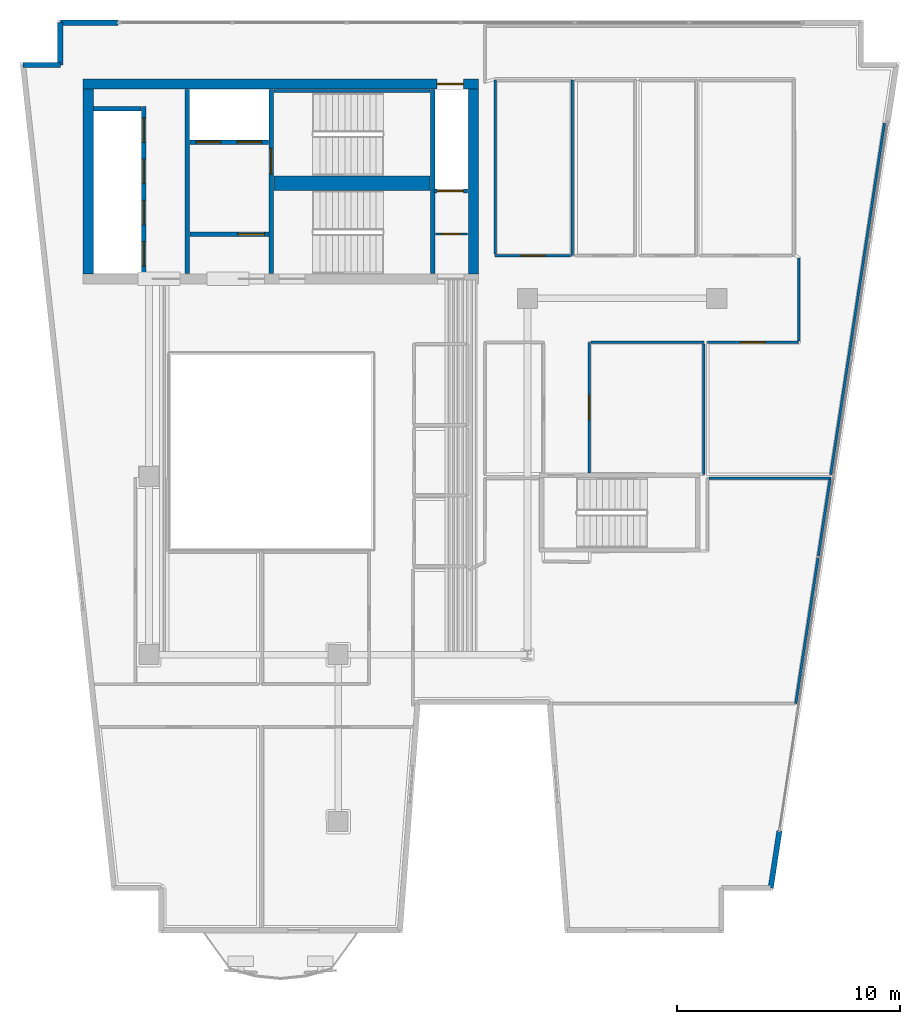
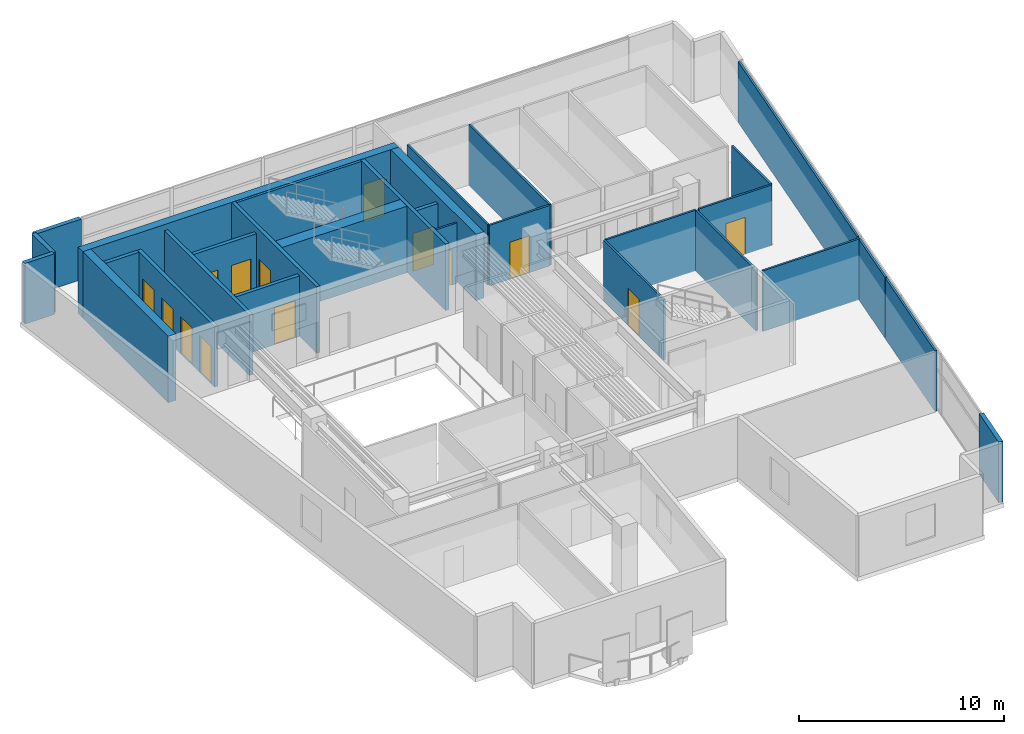
# One storey, part 5 of 8: 30 walls, 14 doors, 14 openings.
"""IFC4 building model written with IfcOpenShell, lengths in metres."""

from ifc_helpers import new_model, si_unit, direction, frame, frame_2d, origin, place, context, subcontext, project, spatial, rectangle, extrude, material, layer, layer_set, type_object, element, fill, save


model = new_model("IFC4")

# Units and contexts
model_context = context("Model", 3, precision=1e-05, world=origin(), true_north=direction((0.0, 1.0)))
body_context = subcontext(model_context, "Body", "Model", "MODEL_VIEW")
ifc_project = project(units=[si_unit("LENGTHUNIT", "METRE"), si_unit("AREAUNIT", "SQUARE_METRE"), si_unit("VOLUMEUNIT", "CUBIC_METRE"), si_unit("PLANEANGLEUNIT", "RADIAN"), si_unit("MASSUNIT", "GRAM", prefix="KILO")], contexts=[model_context])

# Site, building, storey
site_placement = place(None, origin())
site = spatial("IfcSite", under=ifc_project, at=site_placement, CompositionType="ELEMENT")
building_placement = place(site_placement, origin())
building = spatial("IfcBuilding", under=site, at=building_placement, Name="Caeloran Harvest Quay", CompositionType="ELEMENT")
storey_placement = place(building_placement, frame((0.0, 0.0, 246.949951171875)))
storey = spatial("IfcBuildingStorey", under=building, at=storey_placement, Name="L59", CompositionType="ELEMENT", Elevation=246.949951171875)

# Walls
ifc_material_1 = material(Name="Precast concrete C50/60", Category="concrete")
ifc_layer_1 = layer(ifc_material_1, 0.239990234375, Name="Precast concrete C50/60")
ifc_layer_set_1 = layer_set([ifc_layer_1], Name="Precast concrete C50/60")
wall_type_1 = type_object("IfcWallType", Name="ENV-WALL-EW-240", PredefinedType="STANDARD", material=ifc_layer_set_1)
wall_1_placement = place(storey_placement, frame((2.84423828125, 41.47998046875, 0.0), z_axis=(0.0, 0.0, 1.0), x_axis=(1.0, 0.0, 0.0)))
element("IfcWall", 1, at=wall_1_placement, inside=storey, type_object=wall_type_1, Name="L59 Exterior Precast Concrete Facade Wall 4", PredefinedType="STANDARD", context=body_context, shape_type="SweptSolid", body=[
    extrude(rectangle(XDim=1.67578125, YDim=0.239990234375, at=frame_2d((0.837890625, 0.0))), origin(), (0.0, 0.0, 1.0), 3.60009765625),
])
wall_2_placement = place(storey_placement, frame((4.52001953125, 41.47998046875, 0.0), z_axis=(0.0, 0.0, 1.0), x_axis=(0.0, 1.0, 0.0)))
element("IfcWall", 2, at=wall_2_placement, inside=storey, type_object=wall_type_1, Name="L59 Exterior Precast Concrete Facade Wall 5", PredefinedType="STANDARD", context=body_context, shape_type="SweptSolid", body=[
    extrude(rectangle(XDim=1.89990234375, YDim=0.239990234375, at=frame_2d((0.949951171875, 0.0))), origin(), (0.0, 0.0, 1.0), 3.60009765625),
])
wall_3_placement = place(storey_placement, frame((4.52001953125, 43.3798828125, 0.0), z_axis=(0.0, 0.0, 1.0), x_axis=(1.0, 0.0, 0.0)))
element("IfcWall", 3, at=wall_3_placement, inside=storey, type_object=wall_type_1, Name="L59 Exterior Facade Corner Pier Wall 6A", PredefinedType="STANDARD", context=body_context, shape_type="SweptSolid", body=[
    extrude(rectangle(XDim=2.60009765625, YDim=0.239990234375, at=frame_2d((1.300048828125, 0.0))), origin(), (0.0, 0.0, 1.0), 3.60009765625),
])
wall_4_placement = place(storey_placement, frame((36.81591796875, 7.090087890625, 0.0), z_axis=(0.0, 0.0, 1.0), x_axis=(-0.151090396132, -0.988519950328, 0.0)))
element("IfcWall", 4, at=wall_4_placement, inside=storey, type_object=wall_type_1, Name="L59 Exterior Facade Corner Pier Wall 9B", PredefinedType="STANDARD", context=body_context, shape_type="SweptSolid", body=[
    extrude(rectangle(XDim=2.599853515625, YDim=0.239990234375, at=frame_2d((1.2998046875, 0.0))), origin(), (0.0, 0.0, 1.0), 3.60009765625),
])

# Wall, opening, door
ifc_material_2 = material(Name="Fire-Resisting Gypsum Core Riser Partition", Category="gypsum")
ifc_layer_2 = layer(ifc_material_2, 0.10009765625, Name="Fire-Resisting Gypsum Core Riser Partition")
ifc_layer_set_2 = layer_set([ifc_layer_2], Name="Fire-Resisting Gypsum Core Riser Partition")
wall_type_2 = type_object("IfcWallType", Name="INT-WALL-PW-100", PredefinedType="PARTITIONING", material=ifc_layer_set_2)
wall_5_placement = place(storey_placement, frame((21.3798828125, 33.889892578125, 0.0), z_axis=(0.0, 0.0, 1.0), x_axis=(1.0, 0.0, 0.0)))
wall_5 = element("IfcWall", 5, at=wall_5_placement, inside=storey, type_object=wall_type_2, Name="L59 Cleaner Store Partition Wall", PredefinedType="PARTITIONING", context=body_context, shape_type="SweptSolid", body=[
    extrude(rectangle(XDim=1.420166015625, YDim=0.10009765625, at=frame_2d((0.7099609375, 0.0))), origin(), (0.0, 0.0, 1.0), 3.60009765625),
])
opening_1_placement = place(wall_5_placement, frame((0.280029296875, 0.0, 0.0)))
opening_1 = element("IfcOpeningElement", 6, at=opening_1_placement, cuts=wall_5, Name="Opening SV-01", PredefinedType="OPENING", context=body_context, shape_type="SweptSolid", body=[
    extrude(rectangle(XDim=0.85009765625, YDim=2.10009765625, at=frame_2d((0.425048828125, 1.050048828125))), frame((0.0, 0.06005859375, 0.0), z_axis=(0.0, -1.0, 0.0), x_axis=(1.0, 0.0, 0.0)), (0.0, 0.0, 1.0), 0.1201171875),
])
ifc_material_3 = material(Name="Galvanized Painted Steel", Category="steel")
door_type_1 = type_object("IfcDoorType", Name="INTDOOR-SV-01", OperationType="NOTDEFINED", PredefinedType="DOOR", material=ifc_material_3)
door_1_placement = place(opening_1_placement, origin())
door_1 = element("IfcDoor", 7, at=door_1_placement, inside=storey, type_object=door_type_1, Name="L59 Cleaner Supply Store Access Door", OperationType="SINGLE_SWING_RIGHT", OverallHeight=2.10009765625, OverallWidth=0.85009765625, PredefinedType="DOOR", context=body_context, shape_type="SweptSolid", body=[
    extrude(rectangle(XDim=0.85009765625, YDim=2.10009765625, at=frame_2d((0.425048828125, 1.050048828125))), frame((0.0, 0.02490234375, 0.0), z_axis=(0.0, -1.0, 0.0), x_axis=(1.0, 0.0, 0.0)), (0.0, 0.0, 1.0), 0.050048828125),
])
fill(opening_1, door_1)

# Wall
ifc_material_4 = material(Name="Single-Stud Acoustic Gypsum Office Partition", Category="gypsum")
ifc_layer_3 = layer(ifc_material_4, 0.112060546875, Name="Single-Stud Acoustic Gypsum Office Partition")
ifc_layer_set_3 = layer_set([ifc_layer_3], Name="Single-Stud Acoustic Gypsum Office Partition")
wall_type_3 = type_object("IfcWallType", Name="INT-WALL-PW-112", PredefinedType="PARTITIONING", material=ifc_layer_set_3)
wall_6_placement = place(storey_placement, frame((27.5, 40.800048828125, 0.0), z_axis=(0.0, 0.0, 1.0), x_axis=(0.0, -1.0, 0.0)))
element("IfcWall", 8, at=wall_6_placement, inside=storey, type_object=wall_type_3, Name="L59 Bioinformatics Briefing Lounge Partition Wall", PredefinedType="PARTITIONING", context=body_context, shape_type="SweptSolid", body=[
    extrude(rectangle(XDim=7.880126953125, YDim=0.112060546875, at=frame_2d((3.93994140625, 0.0))), origin(), (0.0, 0.0, 1.0), 3.60009765625),
])

# Wall, opening, door
wall_7_placement = place(storey_placement, frame((27.43896484375, 32.919921875, 0.0), z_axis=(0.0, 0.0, 1.0), x_axis=(-1.0, 0.0, 0.0)))
wall_7 = element("IfcWall", 9, at=wall_7_placement, inside=storey, type_object=wall_type_3, Name="L59 Bioinformatics Briefing Lounge Partition Wall", PredefinedType="PARTITIONING", context=body_context, shape_type="SweptSolid", body=[
    extrude(rectangle(XDim=3.388916015625, YDim=0.112060546875, at=frame_2d((1.6943359375, 0.0))), origin(), (0.0, 0.0, 1.0), 3.60009765625),
])
opening_2_placement = place(wall_7_placement, frame((1.14453125, 0.0, 0.0)))
opening_2 = element("IfcOpeningElement", 10, at=opening_2_placement, cuts=wall_7, Name="Opening ID-04", PredefinedType="OPENING", context=body_context, shape_type="SweptSolid", body=[
    extrude(rectangle(XDim=1.10009765625, YDim=2.199951171875, at=frame_2d((0.550048828125, 1.10009765625))), frame((0.0, 0.06591796875, 0.0), z_axis=(0.0, -1.0, 0.0), x_axis=(1.0, 0.0, 0.0)), (0.0, 0.0, 1.0), 0.132080078125),
])
ifc_material_5 = material(Name="Acoustic Walnut Veneer Executive Door", Category="wood")
door_type_2 = type_object("IfcDoorType", Name="INTDOOR-ID-04", OperationType="NOTDEFINED", PredefinedType="DOOR", material=ifc_material_5)
door_2_placement = place(opening_2_placement, origin())
door_2 = element("IfcDoor", 11, at=door_2_placement, inside=storey, type_object=door_type_2, Name="L59 Bioinformatics Briefing Lounge Access Door", OperationType="SINGLE_SWING_RIGHT", OverallHeight=2.199951171875, OverallWidth=1.10009765625, PredefinedType="DOOR", context=body_context, shape_type="SweptSolid", body=[
    extrude(rectangle(XDim=1.10009765625, YDim=2.199951171875, at=frame_2d((0.550048828125, 1.10009765625))), frame((0.0, 0.02490234375, 0.0), z_axis=(0.0, -1.0, 0.0), x_axis=(1.0, 0.0, 0.0)), (0.0, 0.0, 1.0), 0.050048828125),
])
fill(opening_2, door_2)

# Walls
wall_8_placement = place(storey_placement, frame((24.050048828125, 32.98095703125, 0.0), z_axis=(0.0, 0.0, 1.0), x_axis=(0.0, 1.0, 0.0)))
element("IfcWall", 12, at=wall_8_placement, inside=storey, type_object=wall_type_3, Name="L59 Bioinformatics Briefing Lounge Partition Wall", PredefinedType="PARTITIONING", context=body_context, shape_type="SweptSolid", body=[
    extrude(rectangle(XDim=7.819091796875, YDim=0.112060546875, at=frame_2d((3.90966796875, 0.0))), origin(), (0.0, 0.0, 1.0), 3.60009765625),
])
wall_9_placement = place(storey_placement, frame((33.64111328125, 22.919921875, 0.0), z_axis=(0.0, 0.0, 1.0), x_axis=(1.0, 0.0, 0.0)))
element("IfcWall", 13, at=wall_9_placement, inside=storey, type_object=wall_type_3, Name="Client Review Meeting Room Partition Wall", PredefinedType="PARTITIONING", context=body_context, shape_type="SweptSolid", body=[
    extrude(rectangle(XDim=5.487060546875, YDim=0.112060546875, at=frame_2d((2.74365234375, 0.0))), origin(), (0.0, 0.0, 1.0), 3.60009765625),
])
wall_10_placement = place(storey_placement, frame((39.083740234375, 22.85888671875, 0.0), z_axis=(0.0, 0.0, 1.0), x_axis=(-0.151050155671, -0.988526100046, 0.0)))
element("IfcWall", 14, at=wall_10_placement, inside=storey, type_object=wall_type_3, Name="Client Review Meeting Room Partition Wall", PredefinedType="PARTITIONING", context=body_context, shape_type="SweptSolid", body=[
    extrude(rectangle(XDim=3.47998046875, YDim=0.112060546875, at=frame_2d((1.739990234375, 0.0))), origin(), (0.0, 0.0, 1.0), 3.60009765625),
])
wall_11_placement = place(storey_placement, frame((38.547607421875, 19.351806640625, 0.0), z_axis=(0.0, 0.0, 1.0), x_axis=(-0.150955405806, -0.988540573501, 0.0)))
element("IfcWall", 15, at=wall_11_placement, inside=storey, type_object=wall_type_3, Name="Client Review Meeting Room Partition Wall", PredefinedType="PARTITIONING", context=body_context, shape_type="SweptSolid", body=[
    extrude(rectangle(XDim=6.627685546875, YDim=0.112060546875, at=frame_2d((3.31396484375, 0.0))), origin(), (0.0, 0.0, 1.0), 3.60009765625),
])

# Wall, opening, door
wall_12_placement = place(storey_placement, frame((28.280029296875, 23.155029296875, 0.0), z_axis=(0.0, 0.0, 1.0), x_axis=(0.0, 1.0, 0.0)))
wall_12 = element("IfcWall", 16, at=wall_12_placement, inside=storey, type_object=wall_type_3, Name="Sustainable Urbanism Advisory Office 7 Partition Wall", PredefinedType="PARTITIONING", context=body_context, shape_type="SweptSolid", body=[
    extrude(rectangle(XDim=5.864990234375, YDim=0.112060546875, at=frame_2d((2.9326171875, 0.0))), origin(), (0.0, 0.0, 1.0), 3.60009765625),
])
opening_3_placement = place(wall_12_placement, frame((2.382568359375, 0.0, 0.0)))
opening_3 = element("IfcOpeningElement", 17, at=opening_3_placement, cuts=wall_12, Name="Opening ID-04", PredefinedType="OPENING", context=body_context, shape_type="SweptSolid", body=[
    extrude(rectangle(XDim=1.10009765625, YDim=2.199951171875, at=frame_2d((0.550048828125, 1.10009765625))), frame((0.0, 0.06591796875, 0.0), z_axis=(0.0, -1.0, 0.0), x_axis=(1.0, 0.0, 0.0)), (0.0, 0.0, 1.0), 0.132080078125),
])
door_3_placement = place(opening_3_placement, origin())
door_3 = element("IfcDoor", 18, at=door_3_placement, inside=storey, type_object=door_type_2, Name="Sustainable Urbanism Advisory Office 7 Access Door", OperationType="SINGLE_SWING_LEFT", OverallHeight=2.199951171875, OverallWidth=1.10009765625, PredefinedType="DOOR", context=body_context, shape_type="SweptSolid", body=[
    extrude(rectangle(XDim=1.10009765625, YDim=2.199951171875, at=frame_2d((0.550048828125, 1.10009765625))), frame((0.0, 0.02490234375, 0.0), z_axis=(0.0, -1.0, 0.0), x_axis=(1.0, 0.0, 0.0)), (0.0, 0.0, 1.0), 0.050048828125),
])
fill(opening_3, door_3)

# Walls
wall_13_placement = place(storey_placement, frame((28.341064453125, 29.02001953125, 0.0), z_axis=(0.0, 0.0, 1.0), x_axis=(1.0, 0.0, 0.0)))
element("IfcWall", 19, at=wall_13_placement, inside=storey, type_object=wall_type_3, Name="Sustainable Urbanism Advisory Office 7 Partition Wall", PredefinedType="PARTITIONING", context=body_context, shape_type="SweptSolid", body=[
    extrude(rectangle(XDim=5.078857421875, YDim=0.112060546875, at=frame_2d((2.53955078125, 0.0))), origin(), (0.0, 0.0, 1.0), 3.60009765625),
])
wall_14_placement = place(storey_placement, frame((33.419921875, 28.958984375, 0.0), z_axis=(0.0, 0.0, 1.0), x_axis=(0.0, -1.0, 0.0)))
element("IfcWall", 20, at=wall_14_placement, inside=storey, type_object=wall_type_3, Name="Sustainable Urbanism Advisory Office 7 Partition Wall", PredefinedType="PARTITIONING", context=body_context, shape_type="SweptSolid", body=[
    extrude(rectangle(XDim=5.87890625, YDim=0.112060546875, at=frame_2d((2.939453125, 0.0))), origin(), (0.0, 0.0, 1.0), 3.60009765625),
])
wall_15_placement = place(storey_placement, frame((41.529052734375, 38.86669921875, 0.0), z_axis=(0.0, 0.0, 1.0), x_axis=(-0.151041582551, -0.98852741001, 0.0)))
element("IfcWall", 21, at=wall_15_placement, inside=storey, type_object=wall_type_3, Name="GIS Spatial Modelling Lab 8 Partition Wall", PredefinedType="PARTITIONING", context=body_context, shape_type="SweptSolid", body=[
    extrude(rectangle(XDim=15.9697265625, YDim=0.112060546875, at=frame_2d((7.98486328125, 0.0))), origin(), (0.0, 0.0, 1.0), 3.60009765625),
])

# Wall, opening, door
wall_16_placement = place(storey_placement, frame((33.580078125, 29.02001953125, 0.0), z_axis=(0.0, 0.0, 1.0), x_axis=(1.0, 0.0, 0.0)))
wall_16 = element("IfcWall", 22, at=wall_16_placement, inside=storey, type_object=wall_type_3, Name="GIS Spatial Modelling Lab 8 Partition Wall", PredefinedType="PARTITIONING", context=body_context, shape_type="SweptSolid", body=[
    extrude(rectangle(XDim=4.099853515625, YDim=0.112060546875, at=frame_2d((2.0498046875, 0.0))), origin(), (0.0, 0.0, 1.0), 3.60009765625),
])
opening_4_placement = place(wall_16_placement, frame((1.5, 0.0, 0.0)))
opening_4 = element("IfcOpeningElement", 23, at=opening_4_placement, cuts=wall_16, Name="Opening ID-04", PredefinedType="OPENING", context=body_context, shape_type="SweptSolid", body=[
    extrude(rectangle(XDim=1.10009765625, YDim=2.199951171875, at=frame_2d((0.550048828125, 1.10009765625))), frame((0.0, 0.06591796875, 0.0), z_axis=(0.0, -1.0, 0.0), x_axis=(1.0, 0.0, 0.0)), (0.0, 0.0, 1.0), 0.132080078125),
])
door_4_placement = place(opening_4_placement, origin())
door_4 = element("IfcDoor", 24, at=door_4_placement, inside=storey, type_object=door_type_2, Name="GIS Spatial Modelling Lab 8 Access Door", OperationType="SINGLE_SWING_RIGHT", OverallHeight=2.199951171875, OverallWidth=1.10009765625, PredefinedType="DOOR", context=body_context, shape_type="SweptSolid", body=[
    extrude(rectangle(XDim=1.10009765625, YDim=2.199951171875, at=frame_2d((0.550048828125, 1.10009765625))), frame((0.0, 0.02490234375, 0.0), z_axis=(0.0, -1.0, 0.0), x_axis=(1.0, 0.0, 0.0)), (0.0, 0.0, 1.0), 0.050048828125),
])
fill(opening_4, door_4)

# Wall
wall_17_placement = place(storey_placement, frame((37.679931640625, 29.0810546875, 0.0), z_axis=(0.0, 0.0, 1.0), x_axis=(0.0, 1.0, 0.0)))
element("IfcWall", 25, at=wall_17_placement, inside=storey, type_object=wall_type_3, Name="GIS Spatial Modelling Lab 8 Partition Wall", PredefinedType="PARTITIONING", context=body_context, shape_type="SweptSolid", body=[
    extrude(rectangle(XDim=3.741943359375, YDim=0.112060546875, at=frame_2d((1.87109375, 0.0))), origin(), (0.0, 0.0, 1.0), 3.60009765625),
])

# Wall, openings, doors
ifc_material_6 = material(Name="Concrete C50/60", Category="concrete")
ifc_layer_4 = layer(ifc_material_6, 0.199951171875, Name="Concrete C50/60")
ifc_layer_set_4 = layer_set([ifc_layer_4], Name="Concrete C50/60")
wall_type_4 = type_object("IfcWallType", Name="INT-WALL-SW-200", PredefinedType="PARTITIONING", material=ifc_layer_set_4)
wall_18_placement = place(storey_placement, frame((8.260009765625, 32.1201171875, 0.0), z_axis=(0.0, 0.0, 1.0), x_axis=(0.0, 1.0, 0.0)))
wall_18 = element("IfcWall", 26, at=wall_18_placement, inside=storey, type_object=wall_type_4, Name="L59 Bank 3 Lift Shaft Wall", PredefinedType="PARTITIONING", context=body_context, shape_type="SweptSolid", body=[
    extrude(rectangle(XDim=7.5, YDim=0.199951171875, at=frame_2d((3.75, 0.0))), origin(), (0.0, 0.0, 1.0), 3.60009765625),
])
opening_5_placement = place(wall_18_placement, frame((0.330078125, 0.0, 0.0)))
opening_5 = element("IfcOpeningElement", 27, at=opening_5_placement, cuts=wall_18, Name="Opening LD-01", PredefinedType="OPENING", context=body_context, shape_type="SweptSolid", body=[
    extrude(rectangle(XDim=1.10009765625, YDim=2.199951171875, at=frame_2d((0.550048828125, 1.10009765625))), frame((0.0, 0.10986328125, 0.0), z_axis=(0.0, -1.0, 0.0), x_axis=(1.0, 0.0, 0.0)), (0.0, 0.0, 1.0), 0.219970703125),
])
opening_6_placement = place(wall_18_placement, frame((2.179931640625, 0.0, 0.0)))
opening_6 = element("IfcOpeningElement", 28, at=opening_6_placement, cuts=wall_18, Name="Opening LD-01", PredefinedType="OPENING", context=body_context, shape_type="SweptSolid", body=[
    extrude(rectangle(XDim=1.10009765625, YDim=2.199951171875, at=frame_2d((0.550048828125, 1.10009765625))), frame((0.0, 0.10986328125, 0.0), z_axis=(0.0, -1.0, 0.0), x_axis=(1.0, 0.0, 0.0)), (0.0, 0.0, 1.0), 0.219970703125),
])
opening_7_placement = place(wall_18_placement, frame((4.030029296875, 0.0, 0.0)))
opening_7 = element("IfcOpeningElement", 29, at=opening_7_placement, cuts=wall_18, Name="Opening LD-01", PredefinedType="OPENING", context=body_context, shape_type="SweptSolid", body=[
    extrude(rectangle(XDim=1.10009765625, YDim=2.199951171875, at=frame_2d((0.550048828125, 1.10009765625))), frame((0.0, 0.10986328125, 0.0), z_axis=(0.0, -1.0, 0.0), x_axis=(1.0, 0.0, 0.0)), (0.0, 0.0, 1.0), 0.219970703125),
])
opening_8_placement = place(wall_18_placement, frame((5.8798828125, 0.0, 0.0)))
opening_8 = element("IfcOpeningElement", 30, at=opening_8_placement, cuts=wall_18, Name="Opening LD-01", PredefinedType="OPENING", context=body_context, shape_type="SweptSolid", body=[
    extrude(rectangle(XDim=1.10009765625, YDim=2.199951171875, at=frame_2d((0.550048828125, 1.10009765625))), frame((0.0, 0.10986328125, 0.0), z_axis=(0.0, -1.0, 0.0), x_axis=(1.0, 0.0, 0.0)), (0.0, 0.0, 1.0), 0.219970703125),
])
ifc_material_7 = material(Name="Stainless Steel Grade 316", Category="steel")
door_type_3 = type_object("IfcDoorType", Name="INTDOOR-LD-01", OperationType="NOTDEFINED", PredefinedType="DOOR", material=ifc_material_7)
door_5_placement = place(opening_5_placement, origin())
door_5 = element("IfcDoor", 31, at=door_5_placement, inside=storey, type_object=door_type_3, Name="Lift P3-1 Sliding Landing Door (L59)", OperationType="DOUBLE_DOOR_SLIDING", OverallHeight=2.199951171875, OverallWidth=1.10009765625, PredefinedType="DOOR", context=body_context, shape_type="SweptSolid", body=[
    extrude(rectangle(XDim=1.10009765625, YDim=2.199951171875, at=frame_2d((0.550048828125, 1.10009765625))), frame((0.0, 0.02490234375, 0.0), z_axis=(0.0, -1.0, 0.0), x_axis=(1.0, 0.0, 0.0)), (0.0, 0.0, 1.0), 0.050048828125),
])
fill(opening_5, door_5)
door_6_placement = place(opening_6_placement, origin())
door_6 = element("IfcDoor", 32, at=door_6_placement, inside=storey, type_object=door_type_3, Name="Lift P3-2 Sliding Landing Door (L59)", OperationType="DOUBLE_DOOR_SLIDING", OverallHeight=2.199951171875, OverallWidth=1.10009765625, PredefinedType="DOOR", context=body_context, shape_type="SweptSolid", body=[
    extrude(rectangle(XDim=1.10009765625, YDim=2.199951171875, at=frame_2d((0.550048828125, 1.10009765625))), frame((0.0, 0.02490234375, 0.0), z_axis=(0.0, -1.0, 0.0), x_axis=(1.0, 0.0, 0.0)), (0.0, 0.0, 1.0), 0.050048828125),
])
fill(opening_6, door_6)
door_7_placement = place(opening_7_placement, origin())
door_7 = element("IfcDoor", 33, at=door_7_placement, inside=storey, type_object=door_type_3, Name="Lift P3-3 Sliding Landing Door (L59)", OperationType="DOUBLE_DOOR_SLIDING", OverallHeight=2.199951171875, OverallWidth=1.10009765625, PredefinedType="DOOR", context=body_context, shape_type="SweptSolid", body=[
    extrude(rectangle(XDim=1.10009765625, YDim=2.199951171875, at=frame_2d((0.550048828125, 1.10009765625))), frame((0.0, 0.02490234375, 0.0), z_axis=(0.0, -1.0, 0.0), x_axis=(1.0, 0.0, 0.0)), (0.0, 0.0, 1.0), 0.050048828125),
])
fill(opening_7, door_7)
door_8_placement = place(opening_8_placement, origin())
door_8 = element("IfcDoor", 34, at=door_8_placement, inside=storey, type_object=door_type_3, Name="Lift P3-4 Sliding Landing Door (L59)", OperationType="DOUBLE_DOOR_SLIDING", OverallHeight=2.199951171875, OverallWidth=1.10009765625, PredefinedType="DOOR", context=body_context, shape_type="SweptSolid", body=[
    extrude(rectangle(XDim=1.10009765625, YDim=2.199951171875, at=frame_2d((0.550048828125, 1.10009765625))), frame((0.0, 0.02490234375, 0.0), z_axis=(0.0, -1.0, 0.0), x_axis=(1.0, 0.0, 0.0)), (0.0, 0.0, 1.0), 0.050048828125),
])
fill(opening_8, door_8)

# Walls
wall_19_placement = place(storey_placement, frame((6.02001953125, 39.52001953125, 0.0), z_axis=(0.0, 0.0, 1.0), x_axis=(1.0, 0.0, 0.0)))
element("IfcWall", 35, at=wall_19_placement, inside=storey, type_object=wall_type_4, Name="L59 Bank 3 Lift Shaft North End Wall", PredefinedType="PARTITIONING", context=body_context, shape_type="SweptSolid", body=[
    extrude(rectangle(XDim=2.119873046875, YDim=0.199951171875, at=frame_2d((1.06005859375, 0.0))), origin(), (0.0, 0.0, 1.0), 3.60009765625),
])
wall_20_placement = place(storey_placement, frame((10.219970703125, 32.1201171875, 0.0), z_axis=(0.0, 0.0, 1.0), x_axis=(0.0, 1.0, 0.0)))
element("IfcWall", 36, at=wall_20_placement, inside=storey, type_object=wall_type_4, Name="L59 Core Lobby Compartment Wall", PredefinedType="PARTITIONING", context=body_context, shape_type="SweptSolid", body=[
    extrude(rectangle(XDim=8.259765625, YDim=0.199951171875, at=frame_2d((4.1298828125, 0.0))), origin(), (0.0, 0.0, 1.0), 3.60009765625),
])

# Wall, openings, doors
wall_21_placement = place(storey_placement, frame((10.340087890625, 38.02001953125, 0.0), z_axis=(0.0, 0.0, 1.0), x_axis=(1.0, 0.0, 0.0)))
wall_21 = element("IfcWall", 37, at=wall_21_placement, inside=storey, type_object=wall_type_4, Name="L59 Firefighting Lift Shaft Wall", PredefinedType="PARTITIONING", context=body_context, shape_type="SweptSolid", body=[
    extrude(rectangle(XDim=3.539794921875, YDim=0.199951171875, at=frame_2d((1.77001953125, 0.0))), origin(), (0.0, 0.0, 1.0), 3.60009765625),
])
opening_9_placement = place(wall_21_placement, frame((0.284912109375, 0.0, 0.0)))
opening_9 = element("IfcOpeningElement", 38, at=opening_9_placement, cuts=wall_21, Name="Opening LD-01", PredefinedType="OPENING", context=body_context, shape_type="SweptSolid", body=[
    extrude(rectangle(XDim=1.10009765625, YDim=2.199951171875, at=frame_2d((0.550048828125, 1.10009765625))), frame((0.0, 0.10986328125, 0.0), z_axis=(0.0, -1.0, 0.0), x_axis=(1.0, 0.0, 0.0)), (0.0, 0.0, 1.0), 0.219970703125),
])
opening_10_placement = place(wall_21_placement, frame((2.135009765625, 0.0, 0.0)))
opening_10 = element("IfcOpeningElement", 39, at=opening_10_placement, cuts=wall_21, Name="Opening LD-01", PredefinedType="OPENING", context=body_context, shape_type="SweptSolid", body=[
    extrude(rectangle(XDim=1.10009765625, YDim=2.199951171875, at=frame_2d((0.550048828125, 1.10009765625))), frame((0.0, 0.10986328125, 0.0), z_axis=(0.0, -1.0, 0.0), x_axis=(1.0, 0.0, 0.0)), (0.0, 0.0, 1.0), 0.219970703125),
])
door_9_placement = place(opening_9_placement, origin())
door_9 = element("IfcDoor", 40, at=door_9_placement, inside=storey, type_object=door_type_3, Name="Lift FF-1 Sliding Landing Door (L59)", OperationType="DOUBLE_DOOR_SLIDING", OverallHeight=2.199951171875, OverallWidth=1.10009765625, PredefinedType="DOOR", context=body_context, shape_type="SweptSolid", body=[
    extrude(rectangle(XDim=1.10009765625, YDim=2.199951171875, at=frame_2d((0.550048828125, 1.10009765625))), frame((0.0, 0.02490234375, 0.0), z_axis=(0.0, -1.0, 0.0), x_axis=(1.0, 0.0, 0.0)), (0.0, 0.0, 1.0), 0.050048828125),
])
fill(opening_9, door_9)
door_10_placement = place(opening_10_placement, origin())
door_10 = element("IfcDoor", 41, at=door_10_placement, inside=storey, type_object=door_type_3, Name="Lift FF-2 Sliding Landing Door (L59)", OperationType="DOUBLE_DOOR_SLIDING", OverallHeight=2.199951171875, OverallWidth=1.10009765625, PredefinedType="DOOR", context=body_context, shape_type="SweptSolid", body=[
    extrude(rectangle(XDim=1.10009765625, YDim=2.199951171875, at=frame_2d((0.550048828125, 1.10009765625))), frame((0.0, 0.02490234375, 0.0), z_axis=(0.0, -1.0, 0.0), x_axis=(1.0, 0.0, 0.0)), (0.0, 0.0, 1.0), 0.050048828125),
])
fill(opening_10, door_10)

# Wall, opening, door
wall_22_placement = place(storey_placement, frame((10.340087890625, 33.8798828125, 0.0), z_axis=(0.0, 0.0, 1.0), x_axis=(1.0, 0.0, 0.0)))
wall_22 = element("IfcWall", 42, at=wall_22_placement, inside=storey, type_object=wall_type_4, Name="L59 Firefighting Lift Lobby Enclosure Wall", PredefinedType="PARTITIONING", context=body_context, shape_type="SweptSolid", body=[
    extrude(rectangle(XDim=3.559814453125, YDim=0.199951171875, at=frame_2d((1.77978515625, 0.0))), origin(), (0.0, 0.0, 1.0), 3.60009765625),
])
opening_11_placement = place(wall_22_placement, frame((2.14990234375, 0.0, 0.0)))
opening_11 = element("IfcOpeningElement", 43, at=opening_11_placement, cuts=wall_22, Name="Opening FD-01", PredefinedType="OPENING", context=body_context, shape_type="SweptSolid", body=[
    extrude(rectangle(XDim=1.199951171875, YDim=2.199951171875, at=frame_2d((0.60009765625, 1.10009765625))), frame((0.0, 0.10986328125, 0.0), z_axis=(0.0, -1.0, 0.0), x_axis=(1.0, 0.0, 0.0)), (0.0, 0.0, 1.0), 0.219970703125),
])
ifc_material_8 = material(Name="Steel", Category="steel")
door_type_4 = type_object("IfcDoorType", Name="INTDOOR-FD-01", OperationType="NOTDEFINED", PredefinedType="DOOR", material=ifc_material_8)
door_11_placement = place(opening_11_placement, origin())
door_11 = element("IfcDoor", 44, at=door_11_placement, inside=storey, type_object=door_type_4, Name="L59 Firefighting Lift Lobby Smoke-Seal Fire Door", OperationType="SINGLE_SWING_RIGHT", OverallHeight=2.199951171875, OverallWidth=1.199951171875, PredefinedType="DOOR", context=body_context, shape_type="SweptSolid", body=[
    extrude(rectangle(XDim=1.199951171875, YDim=2.199951171875, at=frame_2d((0.60009765625, 1.10009765625))), frame((0.0, 0.02490234375, 0.0), z_axis=(0.0, -1.0, 0.0), x_axis=(1.0, 0.0, 0.0)), (0.0, 0.0, 1.0), 0.050048828125),
])
fill(opening_11, door_11)

wall_23_placement = place(storey_placement, frame((21.300048828125, 35.820068359375, 0.0), z_axis=(0.0, 0.0, 1.0), x_axis=(1.0, 0.0, 0.0)))
wall_23 = element("IfcWall", 45, at=wall_23_placement, inside=storey, type_object=wall_type_4, Name="L59 Service Lift SV-2 Shaft Wall", PredefinedType="PARTITIONING", context=body_context, shape_type="SweptSolid", body=[
    extrude(rectangle(XDim=1.5, YDim=0.199951171875, at=frame_2d((0.75, 0.0))), origin(), (0.0, 0.0, 1.0), 3.60009765625),
])
opening_12_placement = place(wall_23_placement, frame((0.14501953125, 0.0, 0.0)))
opening_12 = element("IfcOpeningElement", 46, at=opening_12_placement, cuts=wall_23, Name="Opening LD-02", PredefinedType="OPENING", context=body_context, shape_type="SweptSolid", body=[
    extrude(rectangle(XDim=1.179931640625, YDim=2.25, at=frame_2d((0.58984375, 1.125))), frame((0.0, 0.10986328125, 0.0), z_axis=(0.0, -1.0, 0.0), x_axis=(1.0, 0.0, 0.0)), (0.0, 0.0, 1.0), 0.219970703125),
])
door_type_5 = type_object("IfcDoorType", Name="INTDOOR-LD-02", OperationType="NOTDEFINED", PredefinedType="DOOR", material=ifc_material_7)
door_12_placement = place(opening_12_placement, origin())
door_12 = element("IfcDoor", 47, at=door_12_placement, inside=storey, type_object=door_type_5, Name="Lift SV-2 Sliding Landing Door (L59)", OperationType="DOUBLE_DOOR_SLIDING", OverallHeight=2.25, OverallWidth=1.179931640625, PredefinedType="DOOR", context=body_context, shape_type="SweptSolid", body=[
    extrude(rectangle(XDim=1.179931640625, YDim=2.25, at=frame_2d((0.58984375, 1.125))), frame((0.0, 0.02490234375, 0.0), z_axis=(0.0, -1.0, 0.0), x_axis=(1.0, 0.0, 0.0)), (0.0, 0.0, 1.0), 0.050048828125),
])
fill(opening_12, door_12)

ifc_material_9 = material(Name="Concrete C60/75", Category="concrete")
ifc_layer_5 = layer(ifc_material_9, 0.449951171875, Name="Concrete C60/75")
ifc_layer_set_5 = layer_set([ifc_layer_5], Name="Concrete C60/75")
wall_type_5 = type_object("IfcWallType", Name="STR-WALL-CW-450", PredefinedType="SHEAR", material=ifc_layer_set_5)
wall_24_placement = place(storey_placement, frame((5.550048828125, 40.625, 0.0), z_axis=(0.0, 0.0, 1.0), x_axis=(1.0, 0.0, 0.0)))
wall_24 = element("IfcWall", 48, at=wall_24_placement, inside=storey, type_object=wall_type_5, Name="L59 Rear Core Shear Wall N", PredefinedType="SHEAR", context=body_context, shape_type="SweptSolid", body=[
    extrude(rectangle(XDim=17.75, YDim=0.449951171875, at=frame_2d((8.875, 0.0))), origin(), (0.0, 0.0, 1.0), 3.949951171875),
])
opening_13_placement = place(wall_24_placement, frame((15.89501953125, 0.0, 0.0)))
opening_13 = element("IfcOpeningElement", 49, at=opening_13_placement, cuts=wall_24, Name="Opening LD-02", PredefinedType="OPENING", context=body_context, shape_type="SweptSolid", body=[
    extrude(rectangle(XDim=1.179931640625, YDim=2.25, at=frame_2d((0.58984375, 1.125))), frame((0.0, 0.23486328125, 0.0), z_axis=(0.0, -1.0, 0.0), x_axis=(1.0, 0.0, 0.0)), (0.0, 0.0, 1.0), 0.469970703125),
])
door_13_placement = place(opening_13_placement, origin())
door_13 = element("IfcDoor", 50, at=door_13_placement, inside=storey, type_object=door_type_5, Name="Lift SV-1 Sliding Landing Door (L59)", OperationType="DOUBLE_DOOR_SLIDING", OverallHeight=2.25, OverallWidth=1.179931640625, PredefinedType="DOOR", context=body_context, shape_type="SweptSolid", body=[
    extrude(rectangle(XDim=1.179931640625, YDim=2.25, at=frame_2d((0.58984375, 1.125))), frame((0.0, 0.02490234375, 0.0), z_axis=(0.0, -1.0, 0.0), x_axis=(1.0, 0.0, 0.0)), (0.0, 0.0, 1.0), 0.050048828125),
])
fill(opening_13, door_13)

# Walls
for number, where, z_axis, x_axis, name in (
    (51, (5.77490234375, 32.10009765625, 0.0), (0.0, 0.0, 1.0), (0.0, 1.0, 0.0), "L59 Rear Core Shear Wall W"),
    (52, (23.074951171875, 32.10009765625, 0.0), (0.0, 0.0, 1.0), (0.0, 1.0, 0.0), "L59 Rear Core Shear Wall E"),
):
    element("IfcWall", number, at=place(storey_placement, frame(where, z_axis=z_axis, x_axis=x_axis)), inside=storey, type_object=wall_type_5, Name=name, PredefinedType="SHEAR", context=body_context, shape_type="SweptSolid", body=[
        extrude(rectangle(XDim=8.2998046875, YDim=0.449951171875, at=frame_2d((4.14990234375, 0.0))), origin(), (0.0, 0.0, 1.0), 3.949951171875),
    ])
ifc_layer_6 = layer(ifc_material_9, 0.64990234375, Name="Concrete C60/75")
ifc_layer_set_6 = layer_set([ifc_layer_6], Name="Concrete C60/75")
wall_type_6 = type_object("IfcWallType", Name="STR-WALL-CW-650", PredefinedType="SHEAR", material=ifc_layer_set_6)
wall_25_placement = place(storey_placement, frame((14.1201171875, 36.175048828125, 0.0), z_axis=(0.0, 0.0, 1.0), x_axis=(1.0, 0.0, 0.0)))
element("IfcWall", 53, at=wall_25_placement, inside=storey, type_object=wall_type_6, Name="L59 Core Stairs Dividing Shear Wall", PredefinedType="SHEAR", context=body_context, shape_type="SweptSolid", body=[
    extrude(rectangle(XDim=7.009765625, YDim=0.64990234375, at=frame_2d((3.5048828125, 0.0))), origin(), (0.0, 0.0, 1.0), 3.949951171875),
])
ifc_layer_7 = layer(ifc_material_9, 0.139892578125, Name="Concrete C60/75")
ifc_layer_set_7 = layer_set([ifc_layer_7], Name="Concrete C60/75")
wall_type_7 = type_object("IfcWallType", Name="STR-WALL-SW-140", PredefinedType="SHEAR", material=ifc_layer_set_7)
wall_26_placement = place(storey_placement, frame((14.1201171875, 40.320068359375, 0.0), z_axis=(0.0, 0.0, 1.0), x_axis=(1.0, 0.0, 0.0)))
element("IfcWall", 54, at=wall_26_placement, inside=storey, type_object=wall_type_7, Name="L59 Core Stair ST-C1 North Bearing Shear Wall", PredefinedType="SHEAR", context=body_context, shape_type="SweptSolid", body=[
    extrude(rectangle(XDim=7.009765625, YDim=0.139892578125, at=frame_2d((3.5048828125, 0.0))), origin(), (0.0, 0.0, 1.0), 3.949951171875),
])

# Wall, opening, door
ifc_layer_8 = layer(ifc_material_9, 0.199951171875, Name="Concrete C60/75")
ifc_layer_set_8 = layer_set([ifc_layer_8], Name="Concrete C60/75")
wall_type_8 = type_object("IfcWallType", Name="STR-WALL-SW-200", PredefinedType="SHEAR", material=ifc_layer_set_8)
wall_27_placement = place(storey_placement, frame((14.0, 32.1201171875, 0.0), z_axis=(0.0, 0.0, 1.0), x_axis=(0.0, 1.0, 0.0)))
wall_27 = element("IfcWall", 55, at=wall_27_placement, inside=storey, type_object=wall_type_8, Name="L59 Core Stair Shaft West Shear Wall", PredefinedType="SHEAR", context=body_context, shape_type="SweptSolid", body=[
    extrude(rectangle(XDim=8.259765625, YDim=0.199951171875, at=frame_2d((4.1298828125, 0.0))), origin(), (0.0, 0.0, 1.0), 3.949951171875),
])
opening_14_placement = place(wall_27_placement, frame((4.4599609375, 0.0, 0.0)))
opening_14 = element("IfcOpeningElement", 56, at=opening_14_placement, cuts=wall_27, Name="Opening SD-01", PredefinedType="OPENING", context=body_context, shape_type="SweptSolid", body=[
    extrude(rectangle(XDim=1.14990234375, YDim=2.199951171875, at=frame_2d((0.574951171875, 1.10009765625))), frame((0.0, 0.10986328125, 0.0), z_axis=(0.0, -1.0, 0.0), x_axis=(1.0, 0.0, 0.0)), (0.0, 0.0, 1.0), 0.219970703125),
])
door_type_6 = type_object("IfcDoorType", Name="INTDOOR-SD-01", OperationType="NOTDEFINED", PredefinedType="DOOR", material=ifc_material_8)
door_14_placement = place(opening_14_placement, origin())
door_14 = element("IfcDoor", 57, at=door_14_placement, inside=storey, type_object=door_type_6, Name="L59 Protected Stair ST-C1 Exit Door", OperationType="SINGLE_SWING_LEFT", OverallHeight=2.199951171875, OverallWidth=1.14990234375, PredefinedType="DOOR", context=body_context, shape_type="SweptSolid", body=[
    extrude(rectangle(XDim=1.14990234375, YDim=2.199951171875, at=frame_2d((0.574951171875, 1.10009765625))), frame((0.0, 0.02490234375, 0.0), z_axis=(0.0, -1.0, 0.0), x_axis=(1.0, 0.0, 0.0)), (0.0, 0.0, 1.0), 0.050048828125),
])
fill(opening_14, door_14)

# Wall
wall_28_placement = place(storey_placement, frame((21.25, 32.1201171875, 0.0), z_axis=(0.0, 0.0, 1.0), x_axis=(0.0, 1.0, 0.0)))
element("IfcWall", 58, at=wall_28_placement, inside=storey, type_object=wall_type_8, Name="L59 Core Stair Shaft East Shear Wall", PredefinedType="SHEAR", context=body_context, shape_type="SweptSolid", body=[
    extrude(rectangle(XDim=8.259765625, YDim=0.199951171875, at=frame_2d((4.1298828125, 0.0))), origin(), (0.0, 0.0, 1.0), 3.949951171875),
])

save(model, "model.ifc")
